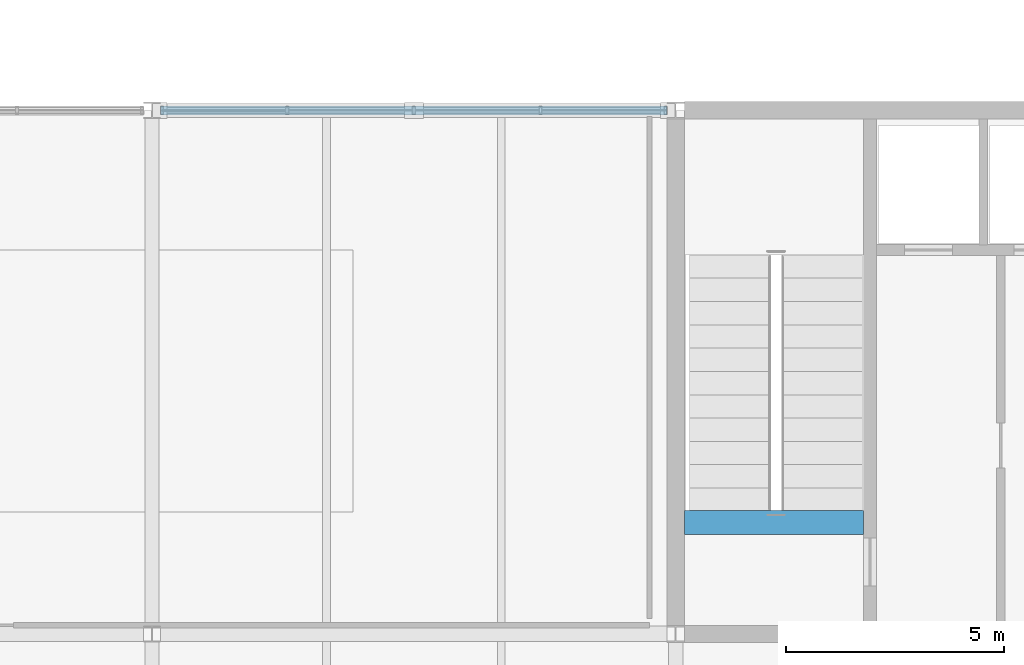
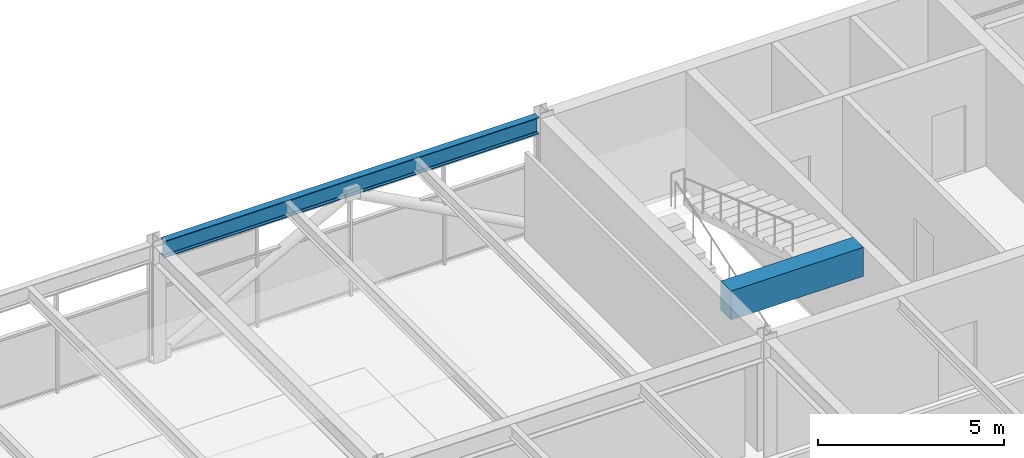
# One storey, part 19 of 49: 2 beams.
"""IFC4 building model written with IfcOpenShell, lengths in metres."""

from ifc_helpers import new_model, si_unit, direction, frame, origin, origin_2d, place, context, subcontext, project, spatial, rectangle, i_section, extrude, material, material_profile, profile_set, type_object, element, save


model = new_model("IFC4")

# Units and contexts
model_context = context("Model", 3, precision=1e-05, world=origin(), true_north=direction((0.0, 1.0)))
body_context = subcontext(model_context, "Body", "Model", "MODEL_VIEW")
ifc_project = project(units=[si_unit("LENGTHUNIT", "METRE"), si_unit("AREAUNIT", "SQUARE_METRE"), si_unit("VOLUMEUNIT", "CUBIC_METRE"), si_unit("PLANEANGLEUNIT", "RADIAN"), si_unit("MASSUNIT", "GRAM", prefix="KILO")], contexts=[model_context])

# Site, building, storey
site_placement = place(None, origin())
site = spatial("IfcSite", under=ifc_project, at=site_placement, CompositionType="ELEMENT")
building_placement = place(site_placement, origin())
building = spatial("IfcBuilding", under=site, at=building_placement, Name="Girod Span Mobility Hub", CompositionType="ELEMENT")
storey_placement = place(building_placement, frame((0.0, 0.0, 37.60009765625)))
storey = spatial("IfcBuildingStorey", under=building, at=storey_placement, Name="L09", CompositionType="ELEMENT", Elevation=37.60009765625)

# Beams
ifc_material_1 = material(Name="Concrete C40/50", Category="concrete")
ifc_material_profile_1 = material_profile(ifc_material_1, rectangle(XDim=0.550048828125, YDim=0.949951171875, at=origin_2d()), Name="RK-550X950")
ifc_profile_set_1 = profile_set([ifc_material_profile_1], Name="Concrete C40/50")
beam_type_1 = type_object("IfcBeamType", Name="BM-RK-550X950", PredefinedType="BEAM", material=ifc_profile_set_1)
beam_1_placement = place(storey_placement, frame((48.197021484375, 59.550048828125, 3.35986328125), z_axis=(1.0, 0.0, 0.0), x_axis=(0.0, 1.0, 0.0)))
element("IfcBeam", 1, at=beam_1_placement, inside=storey, type_object=beam_type_1, Name="Stair ST-1 Landing Header Beam L09", PredefinedType="BEAM", context=body_context, shape_type="SweptSolid", body=[
    extrude(rectangle(XDim=0.550048828125, YDim=0.949951171875, at=origin_2d()), origin(), (0.0, 0.0, 1.0), 4.10595703125),
])
ifc_material_2 = material(Name="Steel A992 Grade 50", Category="steel")
ifc_material_profile_2 = material_profile(ifc_material_2, i_section(OverallWidth=0.2119140625, OverallDepth=0.5439453125, WebThickness=0.01318359375, FlangeThickness=0.021240234375, FilletRadius=0.014892578125, at=origin_2d()), Name="W21X83")
ifc_profile_set_2 = profile_set([ifc_material_profile_2], Name="Steel A992 Grade 50")
beam_type_2 = type_object("IfcBeamType", Name="BM-STL-W21X83", PredefinedType="SPANDREL", material=ifc_profile_set_2)
beam_2_placement = place(storey_placement, frame((36.194091796875, 69.0, 3.56298828125), z_axis=(1.0, 0.0, 0.0), x_axis=(0.0, 1.0, 0.0)))
element("IfcBeam", 2, at=beam_2_placement, inside=storey, type_object=beam_type_2, Name="Girder 4-5/F L09", PredefinedType="SPANDREL", context=body_context, shape_type="SweptSolid", body=[
    extrude(i_section(OverallWidth=0.2119140625, OverallDepth=0.5439453125, WebThickness=0.01318359375, FlangeThickness=0.021240234375, FilletRadius=0.014892578125, at=origin_2d()), origin(), (0.0, 0.0, 1.0), 11.609375),
])

save(model, "model.ifc")
